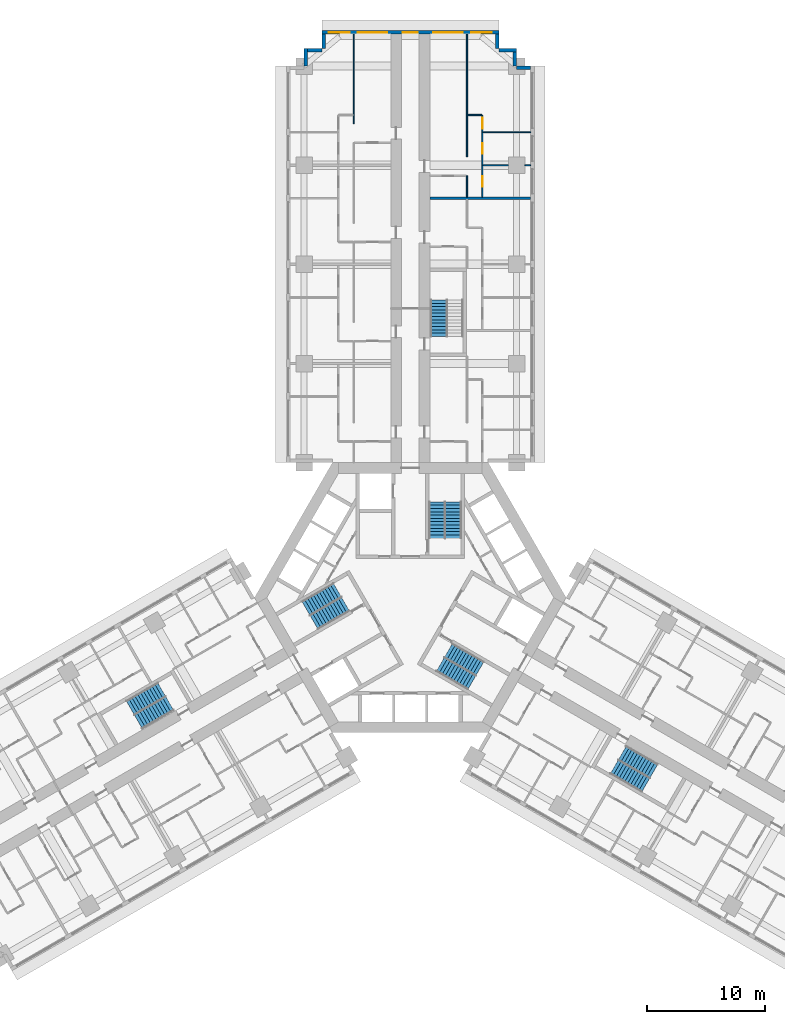
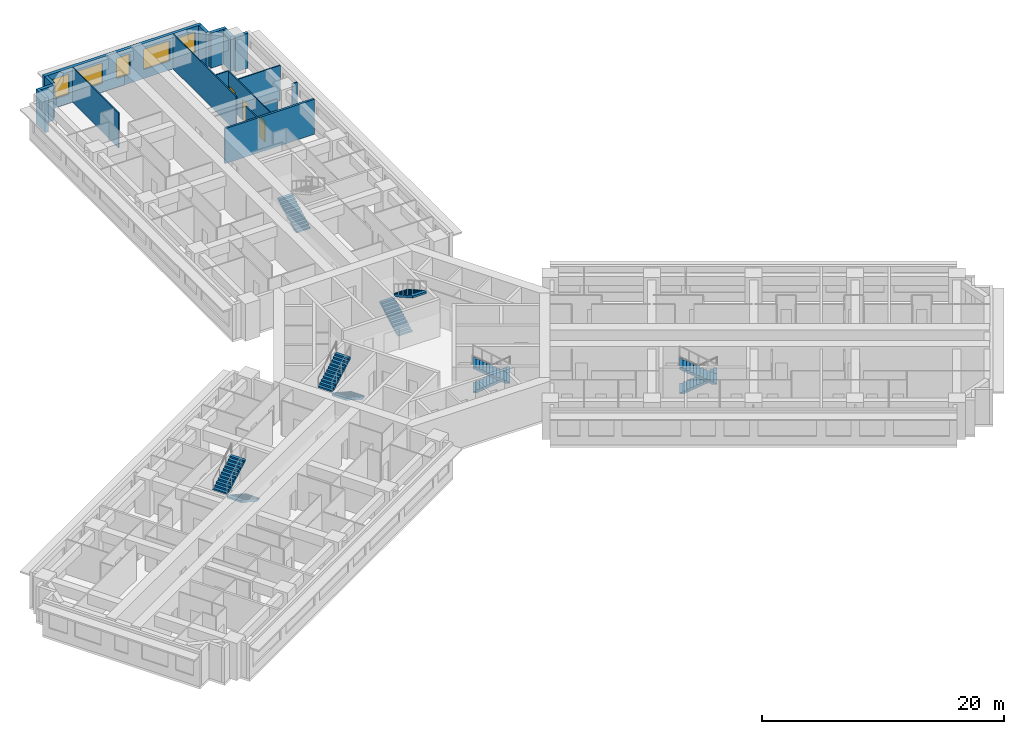
# One storey, part 14 of 16: 17 walls, 11 stair flights, 5 windows, 3 doors, 8 openings, 6 elements without a shape of their own.
"""IFC4 building model written with IfcOpenShell, lengths in metres."""

import ifcopenshell
import ifcopenshell.guid

model = None  # the IFC model being written
_history = None  # IfcOwnerHistory: only IFC2X3 demands one
_inside = {}  # id of a spatial element -> (the spatial element, [elements in it])
_under = {}  # id of a project, library or spatial element -> (it, [spatial elements below it])
_declared = {}  # id of a project -> (the project, [libraries it declares])
_typed = {}  # id of a type object -> (the type object, [elements of that type])
_made_of = {}  # id of a material, layer set ... -> (it, [elements and type objects made of it])


def new_model(schema):
    """Start an empty IFC model of exactly this schema.

    Asked for "IFC4X3", IfcOpenShell would pick the latest addendum, in which some entities
    have other attributes; the version numbers below select the first issue.
    IFC2X3 requires an IfcOwnerHistory on every rooted entity: one is made here for all.
    """
    global model, _history
    if schema == "IFC4X3":
        model = ifcopenshell.file(schema_version=(4, 3, 0, 0))
    else:
        model = ifcopenshell.file(schema=schema)
    _inside.clear()
    _under.clear()
    _declared.clear()
    _typed.clear()
    _made_of.clear()
    _history = None
    if model.schema == "IFC2X3":
        org = make("IfcOrganization", Name="unknown")
        user = make(
            "IfcPersonAndOrganization",
            ThePerson=make("IfcPerson", FamilyName="unknown"),
            TheOrganization=org,
        )
        app = make(
            "IfcApplication",
            ApplicationDeveloper=org,
            Version="unknown",
            ApplicationFullName="unknown",
            ApplicationIdentifier="unknown",
        )
        _history = make(
            "IfcOwnerHistory",
            OwningUser=user,
            OwningApplication=app,
            ChangeAction="ADDED",
            CreationDate=0,
        )
    return model


def make(cls, **values):
    """One entity of the class cls with the attributes given. An attribute that is None is left unset."""
    return model.create_entity(
        cls, **{name: value for name, value in values.items() if value is not None}
    )


def rooted(cls, **values):
    """An entity with a GlobalId (a new one), such as an element, a storey or a relation."""
    return make(cls, GlobalId=ifcopenshell.guid.new(), OwnerHistory=_history, **values)


def si_unit(unit_type, name, prefix=None):
    """IfcSIUnit, for example si_unit("LENGTHUNIT", "METRE", prefix="MILLI")."""
    return make("IfcSIUnit", UnitType=unit_type, Prefix=prefix, Name=name)


def assignment(units):
    """IfcUnitAssignment: the units of a project."""
    return None if units is None else make("IfcUnitAssignment", Units=units)


def point(xyz):
    """IfcCartesianPoint."""
    return None if xyz is None else make("IfcCartesianPoint", Coordinates=xyz)


def direction(xyz):
    """IfcDirection."""
    return None if xyz is None else make("IfcDirection", DirectionRatios=xyz)


def frame(location, z_axis=None, x_axis=None):
    """IfcAxis2Placement3D, a coordinate frame: its origin and axes. An axis left out is left unset."""
    return make(
        "IfcAxis2Placement3D",
        Location=point(location),
        Axis=direction(z_axis),
        RefDirection=direction(x_axis),
    )


def frame_2d(location, x_axis=None):
    """IfcAxis2Placement2D, a coordinate frame in the plane: its origin and x axis."""
    return make(
        "IfcAxis2Placement2D", Location=point(location), RefDirection=direction(x_axis)
    )


def origin():
    """The frame at (0, 0, 0) with its axes left unset."""
    return frame((0.0, 0.0, 0.0))


def place(relative_to, where):
    """IfcLocalPlacement: puts the frame where relative to a parent placement (None: the world)."""
    return make(
        "IfcLocalPlacement", PlacementRelTo=relative_to, RelativePlacement=where
    )


def context(
    kind, dimensions, precision=None, world=None, true_north=None, identifier=None
):
    """IfcGeometricRepresentationContext, for example the 3D "Model" context."""
    return make(
        "IfcGeometricRepresentationContext",
        ContextIdentifier=identifier,
        ContextType=kind,
        CoordinateSpaceDimension=dimensions,
        Precision=precision,
        WorldCoordinateSystem=world,
        TrueNorth=true_north,
    )


def subcontext(parent, identifier, kind, view, scale=None):
    """IfcGeometricRepresentationSubContext, for example "Body" below "Model"."""
    return make(
        "IfcGeometricRepresentationSubContext",
        ContextIdentifier=identifier,
        ContextType=kind,
        ParentContext=parent,
        TargetScale=scale,
        TargetView=view,
    )


def project(units=None, contexts=None):
    """IfcProject with its units and contexts."""
    return rooted(
        "IfcProject",
        Name="project",
        RepresentationContexts=contexts,
        UnitsInContext=assignment(units),
    )


def spatial(cls, under=None, at=None, **own):
    """A site, building, storey or space (cls), placed at a placement, below another one or the project."""
    s = rooted(cls, ObjectPlacement=at, **own)
    if under is not None:
        _under.setdefault(under.id(), (under, []))[1].append(s)
    return s


def polyline(points):
    """IfcPolyline through the points."""
    return make("IfcPolyline", Points=[point(p) for p in points])


def profile(cls, at=None, kind="AREA", **sizes):
    """A parametric profile (cls). Its sizes go by their IFC names, for example OverallWidth=200.0."""
    return make(cls, ProfileType=kind, Position=at, **sizes)


def rectangle(**sizes):
    """IfcRectangleProfileDef."""
    return profile("IfcRectangleProfileDef", **sizes)


def outline(outer, holes=None, kind="AREA"):
    """IfcArbitraryClosedProfileDef: a profile drawn as a closed curve; with holes, ...WithVoids."""
    if holes is None:
        return make("IfcArbitraryClosedProfileDef", ProfileType=kind, OuterCurve=outer)
    return make(
        "IfcArbitraryProfileDefWithVoids",
        ProfileType=kind,
        OuterCurve=outer,
        InnerCurves=holes,
    )


def extrude(swept, where, along, depth):
    """IfcExtrudedAreaSolid: the profile swept, set in the frame where, extruded along a direction by depth."""
    return make(
        "IfcExtrudedAreaSolid",
        SweptArea=swept,
        Position=where,
        ExtrudedDirection=direction(along),
        Depth=depth,
    )


def shape(context_of_items, identifier, shape_type, items):
    """IfcShapeRepresentation: the items that make up one representation, for example the "Body"."""
    return make(
        "IfcShapeRepresentation",
        ContextOfItems=context_of_items,
        RepresentationIdentifier=identifier,
        RepresentationType=shape_type,
        Items=items,
    )


def material(Name=None, Category=None):
    """IfcMaterial."""
    return make("IfcMaterial", Name=Name, Category=Category)


def layer(
    of_material, thickness, ventilated=None, Name=None, Category=None, Priority=None
):
    """IfcMaterialLayer: one layer of a wall or slab, of a material (None: an air gap)."""
    return make(
        "IfcMaterialLayer",
        Material=of_material,
        LayerThickness=thickness,
        IsVentilated=ventilated,
        Name=Name,
        Category=Category,
        Priority=Priority,
    )


def layer_set(layers, Name=None):
    """IfcMaterialLayerSet."""
    return make("IfcMaterialLayerSet", MaterialLayers=layers, LayerSetName=Name)


def made_of(thing, what):
    """Note that an element or type object is made of a material, layer set ...; save() writes the relation."""
    if what is not None:
        _made_of.setdefault(what.id(), (what, []))[1].append(thing)
    return thing


def type_object(cls, material=None, **own):
    """A type object (cls), such as IfcWallType, which elements share."""
    return made_of(rooted(cls, **own), material)


def element(
    cls,
    number,
    at=None,
    inside=None,
    cuts=None,
    type_object=None,
    material=None,
    context=None,
    identifier="Body",
    shape_type=None,
    held_by="IfcProductDefinitionShape",
    body=None,
    shapes=None,
    **own,
):
    """One element of the class cls, such as IfcWall. Its Tag is "e" and its number.

    at: its placement. inside: the storey or other place that contains it. cuts: it is an
    opening in that element (IfcRelVoidsElement). A single representation is given by context,
    identifier, shape_type and body (its items); several are given by shapes. held_by: the class
    of the entity that holds the representations. save() writes the other relations.
    """
    e = rooted(cls, Tag="e%d" % number, ObjectPlacement=at, **own)
    if body is not None:
        shapes = [shape(context, identifier, shape_type, body)]
    if shapes is not None:
        e.Representation = make(held_by, Representations=shapes)
    if inside is not None:
        _inside.setdefault(inside.id(), (inside, []))[1].append(e)
    if cuts is not None:
        rooted(
            "IfcRelVoidsElement", RelatingBuildingElement=cuts, RelatedOpeningElement=e
        )
    if type_object is not None:
        _typed.setdefault(type_object.id(), (type_object, []))[1].append(e)
    return made_of(e, material)


def fill(opening, filler):
    """IfcRelFillsElement: the door or window that sits in an opening."""
    return rooted(
        "IfcRelFillsElement",
        RelatingOpeningElement=opening,
        RelatedBuildingElement=filler,
    )


def aggregate(whole, parts):
    """IfcRelAggregates: a whole, such as a stair, and the parts it consists of."""
    return rooted("IfcRelAggregates", RelatingObject=whole, RelatedObjects=parts)


def save(model, path):
    """Write the relations noted so far, then the file.

    IfcRelAggregates (storeys below a building ...), IfcRelContainedInSpatialStructure (elements
    in a storey), IfcRelDefinesByType, IfcRelAssociatesMaterial and IfcRelDeclares: one each for
    every whole, place, type object, material and project.
    """
    for whole, parts in _under.values():
        aggregate(whole, parts)
    for where, things in _inside.values():
        rooted(
            "IfcRelContainedInSpatialStructure",
            RelatedElements=things,
            RelatingStructure=where,
        )
    for kind, things in _typed.values():
        rooted("IfcRelDefinesByType", RelatedObjects=things, RelatingType=kind)
    for what, things in _made_of.values():
        rooted("IfcRelAssociatesMaterial", RelatedObjects=things, RelatingMaterial=what)
    for by, libraries in _declared.values():
        rooted("IfcRelDeclares", RelatingContext=by, RelatedDefinitions=libraries)
    model.write(path)


model = new_model("IFC4")

# Units and contexts
model_context = context("Model", 3, precision=1e-05, world=origin(), true_north=direction((0.0, 1.0)))
body_context = subcontext(model_context, "Body", "Model", "MODEL_VIEW")
ifc_project = project(units=[si_unit("LENGTHUNIT", "METRE"), si_unit("AREAUNIT", "SQUARE_METRE"), si_unit("VOLUMEUNIT", "CUBIC_METRE"), si_unit("PLANEANGLEUNIT", "RADIAN"), si_unit("MASSUNIT", "GRAM", prefix="KILO")], contexts=[model_context])

# Site, building, storey
site_placement = place(None, origin())
site = spatial("IfcSite", under=ifc_project, at=site_placement, CompositionType="ELEMENT")
building_placement = place(site_placement, origin())
building = spatial("IfcBuilding", under=site, at=building_placement, Name="Impinga Residences", CompositionType="ELEMENT")
storey_placement = place(building_placement, frame((0.0, 0.0, 78.5)))
storey = spatial("IfcBuildingStorey", under=building, at=storey_placement, Name="L19", CompositionType="ELEMENT", Elevation=78.5)

# Walls
ifc_material_1 = material(Name="Terracotta rainscreen on blockwork", Category="masonry")
ifc_layer_1 = layer(ifc_material_1, 0.300048828125)
ifc_layer_set_1 = layer_set([ifc_layer_1], Name="EW1 external wall, terracotta rainscreen on blockwork 300")
wall_type_1 = type_object("IfcWallType", Name="EW1 external wall, terracotta rainscreen on blockwork 300", PredefinedType="SOLIDWALL", material=ifc_layer_set_1)
wall_1_placement = place(storey_placement, frame((-8.85009765625, 45.03662109375, 0.0), z_axis=(0.0, 0.0, 1.0), x_axis=(0.0, 1.0, 0.0)))
element("IfcWall", 1, at=wall_1_placement, inside=storey, type_object=wall_type_1, Name="External wall EW1 L19", PredefinedType="SOLIDWALL", context=body_context, shape_type="SweptSolid", body=[
    extrude(rectangle(XDim=1.494873046875, YDim=0.300048828125, at=frame_2d((0.74755859375, 0.0))), origin(), (0.0, 0.0, 1.0), 3.530029296875),
])
wall_2_placement = place(storey_placement, frame((-8.699951171875, 46.381591796875, 0.0), z_axis=(0.0, 0.0, 1.0), x_axis=(1.0, 0.0, 0.0)))
element("IfcWall", 2, at=wall_2_placement, inside=storey, type_object=wall_type_1, Name="External wall EW1 L19", PredefinedType="SOLIDWALL", context=body_context, shape_type="SweptSolid", body=[
    extrude(rectangle(XDim=1.199951171875, YDim=0.300048828125, at=frame_2d((0.60009765625, 0.0))), origin(), (0.0, 0.0, 1.0), 3.530029296875),
])
wall_3_placement = place(storey_placement, frame((-7.35009765625, 46.53662109375, 0.0), z_axis=(0.0, 0.0, 1.0), x_axis=(0.0, 1.0, 0.0)))
element("IfcWall", 3, at=wall_3_placement, inside=storey, type_object=wall_type_1, Name="External wall EW1 L19", PredefinedType="SOLIDWALL", context=body_context, shape_type="SweptSolid", body=[
    extrude(rectangle(XDim=1.19482421875, YDim=0.300048828125, at=frame_2d((0.597412109375, 0.0))), origin(), (0.0, 0.0, 1.0), 3.530029296875),
])

# Wall, openings, windows
wall_4_placement = place(storey_placement, frame((-7.5, 47.881591796875, 0.0), z_axis=(0.0, 0.0, 1.0), x_axis=(1.0, 0.0, 0.0)))
wall_4 = element("IfcWall", 4, at=wall_4_placement, inside=storey, type_object=wall_type_1, Name="External wall EW1 L19", PredefinedType="SOLIDWALL", context=body_context, shape_type="SweptSolid", body=[
    extrude(rectangle(XDim=15.0, YDim=0.300048828125, at=frame_2d((7.5, 0.0))), origin(), (0.0, 0.0, 1.0), 3.530029296875),
])
opening_1_placement = place(wall_4_placement, frame((0.60009765625, 0.0, 0.89990234375)))
opening_1 = element("IfcOpeningElement", 5, at=opening_1_placement, cuts=wall_4, Name="Opening W1", PredefinedType="OPENING", context=body_context, shape_type="SweptSolid", body=[
    extrude(rectangle(XDim=1.75, YDim=2.050048828125, at=frame_2d((0.875, 1.02490234375))), frame((0.0, 0.159912109375, 0.0), z_axis=(0.0, -1.0, 0.0), x_axis=(1.0, 0.0, 0.0)), (0.0, 0.0, 1.0), 0.320068359375),
])
opening_2_placement = place(wall_4_placement, frame((3.050048828125, 0.0, 0.89990234375)))
opening_2 = element("IfcOpeningElement", 6, at=opening_2_placement, cuts=wall_4, Name="Opening W2", PredefinedType="OPENING", context=body_context, shape_type="SweptSolid", body=[
    extrude(rectangle(XDim=2.5, YDim=2.050048828125, at=frame_2d((1.25, 1.02490234375))), frame((0.0, 0.159912109375, 0.0), z_axis=(0.0, -1.0, 0.0), x_axis=(1.0, 0.0, 0.0)), (0.0, 0.0, 1.0), 0.320068359375),
])
opening_3_placement = place(wall_4_placement, frame((6.85009765625, 0.0, 0.89990234375)))
opening_3 = element("IfcOpeningElement", 7, at=opening_3_placement, cuts=wall_4, Name="Opening WE1", PredefinedType="OPENING", context=body_context, shape_type="SweptSolid", body=[
    extrude(rectangle(XDim=1.300048828125, YDim=2.050048828125, at=frame_2d((0.64990234375, 1.02490234375))), frame((0.0, 0.159912109375, 0.0), z_axis=(0.0, -1.0, 0.0), x_axis=(1.0, 0.0, 0.0)), (0.0, 0.0, 1.0), 0.320068359375),
])
opening_4_placement = place(wall_4_placement, frame((9.449951171875, 0.0, 0.89990234375)))
opening_4 = element("IfcOpeningElement", 8, at=opening_4_placement, cuts=wall_4, Name="Opening W2", PredefinedType="OPENING", context=body_context, shape_type="SweptSolid", body=[
    extrude(rectangle(XDim=2.5, YDim=2.050048828125, at=frame_2d((1.25, 1.02490234375))), frame((0.0, 0.159912109375, 0.0), z_axis=(0.0, -1.0, 0.0), x_axis=(1.0, 0.0, 0.0)), (0.0, 0.0, 1.0), 0.320068359375),
])
opening_5_placement = place(wall_4_placement, frame((12.64990234375, 0.0, 0.89990234375)))
opening_5 = element("IfcOpeningElement", 9, at=opening_5_placement, cuts=wall_4, Name="Opening W1", PredefinedType="OPENING", context=body_context, shape_type="SweptSolid", body=[
    extrude(rectangle(XDim=1.75, YDim=2.050048828125, at=frame_2d((0.875, 1.02490234375))), frame((0.0, 0.159912109375, 0.0), z_axis=(0.0, -1.0, 0.0), x_axis=(1.0, 0.0, 0.0)), (0.0, 0.0, 1.0), 0.320068359375),
])
ifc_material_2 = material(Name="Aluminium window, clear double glazing", Category="aluminium")
window_type_1 = type_object("IfcWindowType", Name="W1 ribbon window 1750x2050", PartitioningType="SINGLE_PANEL", PredefinedType="WINDOW", material=ifc_material_2)
window_1_placement = place(opening_1_placement, origin())
window_1 = element("IfcWindow", 10, at=window_1_placement, inside=storey, type_object=window_type_1, Name="Window L19", OverallHeight=2.050048828125, OverallWidth=1.75, PartitioningType="SINGLE_PANEL", PredefinedType="WINDOW", context=body_context, shape_type="SweptSolid", body=[
    extrude(rectangle(XDim=1.75, YDim=2.050048828125, at=frame_2d((0.875, 1.02490234375))), frame((0.0, 0.030029296875, 0.0), z_axis=(0.0, -1.0, 0.0), x_axis=(1.0, 0.0, 0.0)), (0.0, 0.0, 1.0), 0.06005859375),
])
fill(opening_1, window_1)
window_2_placement = place(opening_5_placement, origin())
window_2 = element("IfcWindow", 11, at=window_2_placement, inside=storey, type_object=window_type_1, Name="Window L19", OverallHeight=2.050048828125, OverallWidth=1.75, PartitioningType="SINGLE_PANEL", PredefinedType="WINDOW", context=body_context, shape_type="SweptSolid", body=[
    extrude(rectangle(XDim=1.75, YDim=2.050048828125, at=frame_2d((0.875, 1.02490234375))), frame((0.0, 0.030029296875, 0.0), z_axis=(0.0, -1.0, 0.0), x_axis=(1.0, 0.0, 0.0)), (0.0, 0.0, 1.0), 0.06005859375),
])
fill(opening_5, window_2)
window_type_2 = type_object("IfcWindowType", Name="W2 ribbon window 2500x2050", PartitioningType="SINGLE_PANEL", PredefinedType="WINDOW", material=ifc_material_2)
window_3_placement = place(opening_2_placement, origin())
window_3 = element("IfcWindow", 12, at=window_3_placement, inside=storey, type_object=window_type_2, Name="Window L19", OverallHeight=2.050048828125, OverallWidth=2.5, PartitioningType="SINGLE_PANEL", PredefinedType="WINDOW", context=body_context, shape_type="SweptSolid", body=[
    extrude(rectangle(XDim=2.5, YDim=2.050048828125, at=frame_2d((1.25, 1.02490234375))), frame((0.0, 0.030029296875, 0.0), z_axis=(0.0, -1.0, 0.0), x_axis=(1.0, 0.0, 0.0)), (0.0, 0.0, 1.0), 0.06005859375),
])
fill(opening_2, window_3)
window_4_placement = place(opening_4_placement, origin())
window_4 = element("IfcWindow", 13, at=window_4_placement, inside=storey, type_object=window_type_2, Name="Window L19", OverallHeight=2.050048828125, OverallWidth=2.5, PartitioningType="SINGLE_PANEL", PredefinedType="WINDOW", context=body_context, shape_type="SweptSolid", body=[
    extrude(rectangle(XDim=2.5, YDim=2.050048828125, at=frame_2d((1.25, 1.02490234375))), frame((0.0, 0.030029296875, 0.0), z_axis=(0.0, -1.0, 0.0), x_axis=(1.0, 0.0, 0.0)), (0.0, 0.0, 1.0), 0.06005859375),
])
fill(opening_4, window_4)
window_type_3 = type_object("IfcWindowType", Name="WE1 corridor window 1300x2050", PartitioningType="SINGLE_PANEL", PredefinedType="WINDOW", material=ifc_material_2)
window_5_placement = place(opening_3_placement, origin())
window_5 = element("IfcWindow", 14, at=window_5_placement, inside=storey, type_object=window_type_3, Name="Window L19", OverallHeight=2.050048828125, OverallWidth=1.300048828125, PartitioningType="SINGLE_PANEL", PredefinedType="WINDOW", context=body_context, shape_type="SweptSolid", body=[
    extrude(rectangle(XDim=1.300048828125, YDim=2.050048828125, at=frame_2d((0.64990234375, 1.02490234375))), frame((0.0, 0.030029296875, 0.0), z_axis=(0.0, -1.0, 0.0), x_axis=(1.0, 0.0, 0.0)), (0.0, 0.0, 1.0), 0.06005859375),
])
fill(opening_3, window_5)

# Walls
wall_5_placement = place(storey_placement, frame((7.35009765625, 47.7314453125, 0.0), z_axis=(0.0, 0.0, 1.0), x_axis=(0.0, -1.0, 0.0)))
element("IfcWall", 15, at=wall_5_placement, inside=storey, type_object=wall_type_1, Name="External wall EW1 L19", PredefinedType="SOLIDWALL", context=body_context, shape_type="SweptSolid", body=[
    extrude(rectangle(XDim=1.19482421875, YDim=0.300048828125, at=frame_2d((0.597412109375, 0.0))), origin(), (0.0, 0.0, 1.0), 3.530029296875),
])
wall_6_placement = place(storey_placement, frame((7.5, 46.381591796875, 0.0), z_axis=(0.0, 0.0, 1.0), x_axis=(1.0, 0.0, 0.0)))
element("IfcWall", 16, at=wall_6_placement, inside=storey, type_object=wall_type_1, Name="External wall EW1 L19", PredefinedType="SOLIDWALL", context=body_context, shape_type="SweptSolid", body=[
    extrude(rectangle(XDim=1.5, YDim=0.300048828125, at=frame_2d((0.75, 0.0))), origin(), (0.0, 0.0, 1.0), 3.530029296875),
])
wall_7_placement = place(storey_placement, frame((8.85009765625, 46.2314453125, 0.0), z_axis=(0.0, 0.0, 1.0), x_axis=(0.0, -1.0, 0.0)))
element("IfcWall", 17, at=wall_7_placement, inside=storey, type_object=wall_type_1, Name="External wall EW1 L19", PredefinedType="SOLIDWALL", context=body_context, shape_type="SweptSolid", body=[
    extrude(rectangle(XDim=1.199951171875, YDim=0.300048828125, at=frame_2d((0.60009765625, 0.0))), origin(), (0.0, 0.0, 1.0), 3.530029296875),
])
wall_8_placement = place(storey_placement, frame((9.0048828125, 44.881591796875, 0.0), z_axis=(0.0, 0.0, 1.0), x_axis=(1.0, 0.0, 0.0)))
element("IfcWall", 18, at=wall_8_placement, inside=storey, type_object=wall_type_1, Name="External wall EW1 L19", PredefinedType="SOLIDWALL", context=body_context, shape_type="SweptSolid", body=[
    extrude(rectangle(XDim=1.195068359375, YDim=0.300048828125, at=frame_2d((0.59765625, 0.0))), origin(), (0.0, 0.0, 1.0), 3.530029296875),
])
ifc_material_3 = material(Name="Gypsum board on steel studs", Category="steel")
ifc_layer_2 = layer(ifc_material_3, 0.10009765625)
ifc_layer_set_2 = layer_set([ifc_layer_2], Name="Gypsum board on steel studs")
wall_type_2 = type_object("IfcWallType", Name="IP1 partition 100", PredefinedType="PARTITIONING", material=ifc_layer_set_2)
wall_9_placement = place(storey_placement, frame((-4.800048828125, 40.131591796875, 0.0), z_axis=(0.0, 0.0, 1.0), x_axis=(0.0, 1.0, 0.0)))
element("IfcWall", 19, at=wall_9_placement, inside=storey, type_object=wall_type_2, Name="Partition L19-NA4:DIV1", PredefinedType="PARTITIONING", context=body_context, shape_type="SweptSolid", body=[
    extrude(rectangle(XDim=7.599853515625, YDim=0.10009765625, at=frame_2d((3.7998046875, 0.0))), origin(), (0.0, 0.0, 1.0), 3.530029296875),
])
wall_10_placement = place(storey_placement, frame((4.800048828125, 33.931640625, 0.0), z_axis=(0.0, 0.0, 1.0), x_axis=(0.0, 1.0, 0.0)))
element("IfcWall", 20, at=wall_10_placement, inside=storey, type_object=wall_type_2, Name="Partition L19-NF3:DIV0", PredefinedType="PARTITIONING", context=body_context, shape_type="SweptSolid", body=[
    extrude(rectangle(XDim=1.7998046875, YDim=0.10009765625, at=frame_2d((0.89990234375, 0.0))), origin(), (0.0, 0.0, 1.0), 3.530029296875),
])
wall_11_placement = place(storey_placement, frame((4.800048828125, 37.33154296875, 0.0), z_axis=(0.0, 0.0, 1.0), x_axis=(0.0, 1.0, 0.0)))
element("IfcWall", 21, at=wall_11_placement, inside=storey, type_object=wall_type_2, Name="Partition L19-NF3:DIV1", PredefinedType="PARTITIONING", context=body_context, shape_type="SweptSolid", body=[
    extrude(rectangle(XDim=10.39990234375, YDim=0.10009765625, at=frame_2d((5.199951171875, 0.0))), origin(), (0.0, 0.0, 1.0), 3.530029296875),
])

# Wall, openings, doors
wall_12_placement = place(storey_placement, frame((6.10009765625, 33.931640625, 0.0), z_axis=(0.0, 0.0, 1.0), x_axis=(0.0, 1.0, 0.0)))
wall_12 = element("IfcWall", 22, at=wall_12_placement, inside=storey, type_object=wall_type_2, Name="Partition L19-NF3:STRIP", PredefinedType="PARTITIONING", context=body_context, shape_type="SweptSolid", body=[
    extrude(rectangle(XDim=6.949951171875, YDim=0.10009765625, at=frame_2d((3.47509765625, 0.0))), origin(), (0.0, 0.0, 1.0), 3.530029296875),
])
opening_6_placement = place(wall_12_placement, frame((0.875, 0.0, 0.0)))
opening_6 = element("IfcOpeningElement", 23, at=opening_6_placement, cuts=wall_12, Name="Opening D2", PredefinedType="OPENING", context=body_context, shape_type="SweptSolid", body=[
    extrude(rectangle(XDim=0.89990234375, YDim=2.10009765625, at=frame_2d((0.449951171875, 1.050048828125))), frame((0.0, 0.06005859375, 0.0), z_axis=(0.0, -1.0, 0.0), x_axis=(1.0, 0.0, 0.0)), (0.0, 0.0, 1.0), 0.1201171875),
])
opening_7_placement = place(wall_12_placement, frame((3.64990234375, 0.0, 0.0)))
opening_7 = element("IfcOpeningElement", 24, at=opening_7_placement, cuts=wall_12, Name="Opening D2", PredefinedType="OPENING", context=body_context, shape_type="SweptSolid", body=[
    extrude(rectangle(XDim=0.89990234375, YDim=2.10009765625, at=frame_2d((0.449951171875, 1.050048828125))), frame((0.0, 0.06005859375, 0.0), z_axis=(0.0, -1.0, 0.0), x_axis=(1.0, 0.0, 0.0)), (0.0, 0.0, 1.0), 0.1201171875),
])
opening_8_placement = place(wall_12_placement, frame((5.800048828125, 0.0, 0.0)))
opening_8 = element("IfcOpeningElement", 25, at=opening_8_placement, cuts=wall_12, Name="Opening D2", PredefinedType="OPENING", context=body_context, shape_type="SweptSolid", body=[
    extrude(rectangle(XDim=0.89990234375, YDim=2.10009765625, at=frame_2d((0.449951171875, 1.050048828125))), frame((0.0, 0.06005859375, 0.0), z_axis=(0.0, -1.0, 0.0), x_axis=(1.0, 0.0, 0.0)), (0.0, 0.0, 1.0), 0.1201171875),
])
ifc_material_4 = material(Name="Timber door set", Category="wood")
door_type = type_object("IfcDoorType", Name="D2 internal door 900x2100", OperationType="SINGLE_SWING_LEFT", PredefinedType="DOOR", material=ifc_material_4)
door_1_placement = place(opening_6_placement, origin())
door_1 = element("IfcDoor", 26, at=door_1_placement, inside=storey, type_object=door_type, Name="Apartment L19-NF3 room door", OperationType="SINGLE_SWING_LEFT", OverallHeight=2.10009765625, OverallWidth=0.89990234375, PredefinedType="DOOR", context=body_context, shape_type="SweptSolid", body=[
    extrude(rectangle(XDim=0.89990234375, YDim=2.10009765625, at=frame_2d((0.449951171875, 1.050048828125))), frame((0.0, 0.02490234375, 0.0), z_axis=(0.0, -1.0, 0.0), x_axis=(1.0, 0.0, 0.0)), (0.0, 0.0, 1.0), 0.050048828125),
])
fill(opening_6, door_1)
door_2_placement = place(opening_7_placement, origin())
door_2 = element("IfcDoor", 27, at=door_2_placement, inside=storey, type_object=door_type, Name="Apartment L19-NF3 room door", OperationType="SINGLE_SWING_RIGHT", OverallHeight=2.10009765625, OverallWidth=0.89990234375, PredefinedType="DOOR", context=body_context, shape_type="SweptSolid", body=[
    extrude(rectangle(XDim=0.89990234375, YDim=2.10009765625, at=frame_2d((0.449951171875, 1.050048828125))), frame((0.0, 0.02490234375, 0.0), z_axis=(0.0, -1.0, 0.0), x_axis=(1.0, 0.0, 0.0)), (0.0, 0.0, 1.0), 0.050048828125),
])
fill(opening_7, door_2)
door_3_placement = place(opening_8_placement, origin())
door_3 = element("IfcDoor", 28, at=door_3_placement, inside=storey, type_object=door_type, Name="Apartment L19-NF3 room door", OperationType="SINGLE_SWING_RIGHT", OverallHeight=2.10009765625, OverallWidth=0.89990234375, PredefinedType="DOOR", context=body_context, shape_type="SweptSolid", body=[
    extrude(rectangle(XDim=0.89990234375, YDim=2.10009765625, at=frame_2d((0.449951171875, 1.050048828125))), frame((0.0, 0.02490234375, 0.0), z_axis=(0.0, -1.0, 0.0), x_axis=(1.0, 0.0, 0.0)), (0.0, 0.0, 1.0), 0.050048828125),
])
fill(opening_8, door_3)

# Walls
wall_13_placement = place(storey_placement, frame((4.85009765625, 40.881591796875, 0.0), z_axis=(0.0, 0.0, 1.0), x_axis=(1.0, 0.0, 0.0)))
element("IfcWall", 29, at=wall_13_placement, inside=storey, type_object=wall_type_2, Name="Partition L19-NF3:SE1", PredefinedType="PARTITIONING", context=body_context, shape_type="SweptSolid", body=[
    extrude(rectangle(XDim=1.199951171875, YDim=0.10009765625, at=frame_2d((0.60009765625, 0.0))), origin(), (0.0, 0.0, 1.0), 3.530029296875),
])
wall_14_placement = place(storey_placement, frame((6.14990234375, 36.631591796875, 0.0), z_axis=(0.0, 0.0, 1.0), x_axis=(1.0, 0.0, 0.0)))
element("IfcWall", 30, at=wall_14_placement, inside=storey, type_object=wall_type_2, Name="Partition L19-NF3:OB1", PredefinedType="PARTITIONING", context=body_context, shape_type="SweptSolid", body=[
    extrude(rectangle(XDim=2.150146484375, YDim=0.10009765625, at=frame_2d((1.0751953125, 0.0))), origin(), (0.0, 0.0, 1.0), 2.47998046875),
])
wall_15_placement = place(storey_placement, frame((9.699951171875, 36.631591796875, 0.0), z_axis=(0.0, 0.0, 1.0), x_axis=(1.0, 0.0, 0.0)))
element("IfcWall", 31, at=wall_15_placement, inside=storey, type_object=wall_type_2, Name="Partition L19-NF3:OB1b", PredefinedType="PARTITIONING", context=body_context, shape_type="SweptSolid", body=[
    extrude(rectangle(XDim=0.5, YDim=0.10009765625, at=frame_2d((0.25, 0.0))), origin(), (0.0, 0.0, 1.0), 3.530029296875),
])
wall_16_placement = place(storey_placement, frame((6.14990234375, 39.431640625, 0.0), z_axis=(0.0, 0.0, 1.0), x_axis=(1.0, 0.0, 0.0)))
element("IfcWall", 32, at=wall_16_placement, inside=storey, type_object=wall_type_2, Name="Partition L19-NF3:OB2", PredefinedType="PARTITIONING", context=body_context, shape_type="SweptSolid", body=[
    extrude(rectangle(XDim=4.050048828125, YDim=0.10009765625, at=frame_2d((2.02490234375, 0.0))), origin(), (0.0, 0.0, 1.0), 3.530029296875),
])
ifc_material_5 = material(Name="Concrete blockwork", Category="masonry")
ifc_layer_3 = layer(ifc_material_5, 0.199951171875)
ifc_layer_set_3 = layer_set([ifc_layer_3], Name="PW1 party wall between apartments 200")
wall_type_3 = type_object("IfcWallType", Name="PW1 party wall between apartments 200", PredefinedType="SOLIDWALL", material=ifc_layer_set_3)
wall_17_placement = place(storey_placement, frame((1.64990234375, 33.83154296875, 0.0), z_axis=(0.0, 0.0, 1.0), x_axis=(1.0, 0.0, 0.0)))
element("IfcWall", 33, at=wall_17_placement, inside=storey, type_object=wall_type_3, Name="Party wall between apartments L19-NF2:PARTY", PredefinedType="SOLIDWALL", context=body_context, shape_type="SweptSolid", body=[
    extrude(rectangle(XDim=8.550048828125, YDim=0.199951171875, at=frame_2d((4.27490234375, 0.0))), origin(), (0.0, 0.0, 1.0), 3.530029296875),
])

# Stair, stair flights
ifc_material_6 = material(Name="Concrete C40/50", Category="concrete")
stair_type_1 = type_object("IfcStairType", Name="STR core stair 3750 storey, 24 risers", PredefinedType="HALF_TURN_STAIR", material=ifc_material_6)
stair_1_placement = place(storey_placement, origin())
stair_1 = element("IfcStair", 34, at=stair_1_placement, inside=storey, type_object=stair_type_1, Name="Stair ST1 L19", PredefinedType="HALF_TURN_STAIR")
stair_flight_type = type_object("IfcStairFlightType", Name="SF 12 risers of 156", PredefinedType="STRAIGHT", material=ifc_material_6)
stair_flight_1_placement = place(storey_placement, frame((2.27490234375, 5.030029296875, 0.0), z_axis=(0.0, 0.0, 1.0), x_axis=(0.0, 1.0, 0.0)))
stair_flight_1 = element("IfcStairFlight", 35, at=stair_flight_1_placement, type_object=stair_flight_type, Name="ST1 flight 1", NumberOfRisers=12, NumberOfTreads=11, PredefinedType="STRAIGHT", RiserHeight=0.15625, TreadLength=0.28, context=body_context, shape_type="SweptSolid", body=[
    extrude(outline(polyline([(0.0, 0.0), (0.0, 0.15625), (0.280029296875, 0.15625), (0.280029296875, 0.3125), (0.56005859375, 0.3125), (0.56005859375, 0.46875), (0.840087890625, 0.46875), (0.840087890625, 0.625), (1.1201171875, 0.625), (1.1201171875, 0.78125), (1.39990234375, 0.78125), (1.39990234375, 0.9375), (1.679931640625, 0.9375), (1.679931640625, 1.09375), (1.9599609375, 1.09375), (1.9599609375, 1.25), (2.239990234375, 1.25), (2.239990234375, 1.40625), (2.52001953125, 1.40625), (2.52001953125, 1.5625), (2.800048828125, 1.5625), (2.800048828125, 1.71875), (3.080078125, 1.71875), (3.080078125, 1.875), (3.080078125, 1.5126953125), (0.369140625, 0.0), (0.0, 0.0)])), frame((0.0, 0.675048828125, 0.0), z_axis=(0.0, -1.0, 0.0), x_axis=(1.0, 0.0, 0.0)), (0.0, 0.0, 1.0), 1.35009765625),
])
stair_flight_2_placement = place(storey_placement, frame((3.625, 8.110107421875, 1.875), z_axis=(0.0, 0.0, 1.0), x_axis=(0.0, -1.0, 0.0)))
stair_flight_2 = element("IfcStairFlight", 36, at=stair_flight_2_placement, type_object=stair_flight_type, Name="ST1 flight 2", NumberOfRisers=12, NumberOfTreads=11, PredefinedType="STRAIGHT", RiserHeight=0.15625, TreadLength=0.28, context=body_context, shape_type="SweptSolid", body=[
    extrude(outline(polyline([(0.0, 0.0), (0.0, 0.15625), (0.280029296875, 0.15625), (0.280029296875, 0.3125), (0.56005859375, 0.3125), (0.56005859375, 0.46875), (0.840087890625, 0.46875), (0.840087890625, 0.625), (1.1201171875, 0.625), (1.1201171875, 0.78125), (1.39990234375, 0.78125), (1.39990234375, 0.9375), (1.679931640625, 0.9375), (1.679931640625, 1.09375), (1.9599609375, 1.09375), (1.9599609375, 1.25), (2.239990234375, 1.25), (2.239990234375, 1.40625), (2.52001953125, 1.40625), (2.52001953125, 1.5625), (2.800048828125, 1.5625), (2.800048828125, 1.71875), (3.080078125, 1.71875), (3.080078125, 1.875), (3.080078125, 1.5126953125), (0.369140625, 0.0), (0.0, 0.0)])), frame((0.0, 0.675048828125, 0.0), z_axis=(0.0, -1.0, 0.0), x_axis=(1.0, 0.0, 0.0)), (0.0, 0.0, 1.0), 1.35009765625),
])
aggregate(stair_1, [stair_flight_1, stair_flight_2])

stair_2_placement = place(storey_placement, origin())
stair_2 = element("IfcStair", 37, at=stair_2_placement, inside=storey, type_object=stair_type_1, Name="Stair ST2 L19", PredefinedType="HALF_TURN_STAIR")
stair_flight_3_placement = place(storey_placement, frame((-5.49365234375, -0.544677734375, 0.0), z_axis=(0.0, 0.0, 1.0), x_axis=(-0.866025403784, -0.5, 0.0)))
stair_flight_3 = element("IfcStairFlight", 38, at=stair_flight_3_placement, type_object=stair_flight_type, Name="ST2 flight 1", NumberOfRisers=12, NumberOfTreads=11, PredefinedType="STRAIGHT", RiserHeight=0.15625, TreadLength=0.28, context=body_context, shape_type="SweptSolid", body=[
    extrude(outline(polyline([(0.0, 0.0), (0.0, 0.15625), (0.280029296875, 0.15625), (0.280029296875, 0.3125), (0.56005859375, 0.3125), (0.56005859375, 0.46875), (0.840087890625, 0.46875), (0.840087890625, 0.625), (1.1201171875, 0.625), (1.1201171875, 0.78125), (1.39990234375, 0.78125), (1.39990234375, 0.9375), (1.679931640625, 0.9375), (1.679931640625, 1.09375), (1.9599609375, 1.09375), (1.9599609375, 1.25), (2.239990234375, 1.25), (2.239990234375, 1.40625), (2.52001953125, 1.40625), (2.52001953125, 1.5625), (2.800048828125, 1.5625), (2.800048828125, 1.71875), (3.080078125, 1.71875), (3.080078125, 1.875), (3.080078125, 1.5126953125), (0.369140625, 0.0), (0.0, 0.0)])), frame((0.0, 0.675048828125, 0.0), z_axis=(0.0, -1.0, 0.0), x_axis=(1.0, 0.0, 0.0)), (0.0, 0.0, 1.0), 1.35009765625),
])
stair_flight_4_placement = place(storey_placement, frame((-8.8359375, -0.915771484375, 1.875), z_axis=(0.0, 0.0, 1.0), x_axis=(0.866025403784, 0.5, 0.0)))
stair_flight_4 = element("IfcStairFlight", 39, at=stair_flight_4_placement, type_object=stair_flight_type, Name="ST2 flight 2", NumberOfRisers=12, NumberOfTreads=11, PredefinedType="STRAIGHT", RiserHeight=0.15625, TreadLength=0.28, context=body_context, shape_type="SweptSolid", body=[
    extrude(outline(polyline([(0.0, 0.0), (0.0, 0.15625), (0.280029296875, 0.15625), (0.280029296875, 0.3125), (0.56005859375, 0.3125), (0.56005859375, 0.46875), (0.840087890625, 0.46875), (0.840087890625, 0.625), (1.1201171875, 0.625), (1.1201171875, 0.78125), (1.39990234375, 0.78125), (1.39990234375, 0.9375), (1.679931640625, 0.9375), (1.679931640625, 1.09375), (1.9599609375, 1.09375), (1.9599609375, 1.25), (2.239990234375, 1.25), (2.239990234375, 1.40625), (2.52001953125, 1.40625), (2.52001953125, 1.5625), (2.800048828125, 1.5625), (2.800048828125, 1.71875), (3.080078125, 1.71875), (3.080078125, 1.875), (3.080078125, 1.5126953125), (0.369140625, 0.0), (0.0, 0.0)])), frame((0.0, 0.675048828125, 0.0), z_axis=(0.0, -1.0, 0.0), x_axis=(1.0, 0.0, 0.0)), (0.0, 0.0, 1.0), 1.35009765625),
])
aggregate(stair_2, [stair_flight_3, stair_flight_4])

stair_3_placement = place(storey_placement, origin())
stair_3 = element("IfcStair", 40, at=stair_3_placement, inside=storey, type_object=stair_type_1, Name="Stair ST3 L19", PredefinedType="HALF_TURN_STAIR")
stair_flight_5_placement = place(storey_placement, frame((3.218505859375, -4.485107421875, 0.0), z_axis=(0.0, 0.0, 1.0), x_axis=(0.866025403784, -0.5, 0.0)))
stair_flight_5 = element("IfcStairFlight", 41, at=stair_flight_5_placement, type_object=stair_flight_type, Name="ST3 flight 1", NumberOfRisers=12, NumberOfTreads=11, PredefinedType="STRAIGHT", RiserHeight=0.15625, TreadLength=0.28, context=body_context, shape_type="SweptSolid", body=[
    extrude(outline(polyline([(0.0, 0.0), (0.0, 0.15625), (0.280029296875, 0.15625), (0.280029296875, 0.3125), (0.56005859375, 0.3125), (0.56005859375, 0.46875), (0.840087890625, 0.46875), (0.840087890625, 0.625), (1.1201171875, 0.625), (1.1201171875, 0.78125), (1.39990234375, 0.78125), (1.39990234375, 0.9375), (1.679931640625, 0.9375), (1.679931640625, 1.09375), (1.9599609375, 1.09375), (1.9599609375, 1.25), (2.239990234375, 1.25), (2.239990234375, 1.40625), (2.52001953125, 1.40625), (2.52001953125, 1.5625), (2.800048828125, 1.5625), (2.800048828125, 1.71875), (3.080078125, 1.71875), (3.080078125, 1.875), (3.080078125, 1.5126953125), (0.369140625, 0.0), (0.0, 0.0)])), frame((0.0, 0.675048828125, 0.0), z_axis=(0.0, -1.0, 0.0), x_axis=(1.0, 0.0, 0.0)), (0.0, 0.0, 1.0), 1.35009765625),
])
stair_flight_6_placement = place(storey_placement, frame((5.2109375, -7.1943359375, 1.875), z_axis=(0.0, 0.0, 1.0), x_axis=(-0.866025403784, 0.5, 0.0)))
stair_flight_6 = element("IfcStairFlight", 42, at=stair_flight_6_placement, type_object=stair_flight_type, Name="ST3 flight 2", NumberOfRisers=12, NumberOfTreads=11, PredefinedType="STRAIGHT", RiserHeight=0.15625, TreadLength=0.28, context=body_context, shape_type="SweptSolid", body=[
    extrude(outline(polyline([(0.0, 0.0), (0.0, 0.15625), (0.280029296875, 0.15625), (0.280029296875, 0.3125), (0.56005859375, 0.3125), (0.56005859375, 0.46875), (0.840087890625, 0.46875), (0.840087890625, 0.625), (1.1201171875, 0.625), (1.1201171875, 0.78125), (1.39990234375, 0.78125), (1.39990234375, 0.9375), (1.679931640625, 0.9375), (1.679931640625, 1.09375), (1.9599609375, 1.09375), (1.9599609375, 1.25), (2.239990234375, 1.25), (2.239990234375, 1.40625), (2.52001953125, 1.40625), (2.52001953125, 1.5625), (2.800048828125, 1.5625), (2.800048828125, 1.71875), (3.080078125, 1.71875), (3.080078125, 1.875), (3.080078125, 1.5126953125), (0.369140625, 0.0), (0.0, 0.0)])), frame((0.0, 0.675048828125, 0.0), z_axis=(0.0, -1.0, 0.0), x_axis=(1.0, 0.0, 0.0)), (0.0, 0.0, 1.0), 1.35009765625),
])
aggregate(stair_3, [stair_flight_5, stair_flight_6])

# Stair, stair flight
stair_type_2 = type_object("IfcStairType", Name="STR wing stair 3750 storey, 24 risers", PredefinedType="HALF_TURN_STAIR", material=ifc_material_6)
stair_4_placement = place(storey_placement, origin())
stair_4 = element("IfcStair", 43, at=stair_4_placement, inside=storey, type_object=stair_type_2, Name="Stair WS1 L19", PredefinedType="HALF_TURN_STAIR")
stair_flight_7_placement = place(storey_placement, frame((2.425048828125, 22.131591796875, 0.0), z_axis=(0.0, 0.0, 1.0), x_axis=(0.0, 1.0, 0.0)))
stair_flight_7 = element("IfcStairFlight", 44, at=stair_flight_7_placement, type_object=stair_flight_type, Name="WS1 flight 1", NumberOfRisers=12, NumberOfTreads=11, PredefinedType="STRAIGHT", RiserHeight=0.15625, TreadLength=0.28, context=body_context, shape_type="SweptSolid", body=[
    extrude(outline(polyline([(0.0, 0.0), (0.0, 0.15625), (0.280029296875, 0.15625), (0.280029296875, 0.3125), (0.56005859375, 0.3125), (0.56005859375, 0.46875), (0.840087890625, 0.46875), (0.840087890625, 0.625), (1.1201171875, 0.625), (1.1201171875, 0.78125), (1.39990234375, 0.78125), (1.39990234375, 0.9375), (1.679931640625, 0.9375), (1.679931640625, 1.09375), (1.9599609375, 1.09375), (1.9599609375, 1.25), (2.239990234375, 1.25), (2.239990234375, 1.40625), (2.52001953125, 1.40625), (2.52001953125, 1.5625), (2.800048828125, 1.5625), (2.800048828125, 1.71875), (3.080078125, 1.71875), (3.080078125, 1.875), (3.080078125, 1.5126953125), (0.369140625, 0.0), (0.0, 0.0)])), frame((0.0, 0.675048828125, 0.0), z_axis=(0.0, -1.0, 0.0), x_axis=(1.0, 0.0, 0.0)), (0.0, 0.0, 1.0), 1.35009765625),
])
aggregate(stair_4, [stair_flight_7])

# Stair, stair flights
stair_5_placement = place(storey_placement, origin())
stair_5 = element("IfcStair", 45, at=stair_5_placement, inside=storey, type_object=stair_type_2, Name="Stair WS2 L19", PredefinedType="HALF_TURN_STAIR")
stair_flight_8_placement = place(storey_placement, frame((-20.37890625, -8.965576171875, 0.0), z_axis=(0.0, 0.0, 1.0), x_axis=(-0.866025403784, -0.5, 0.0)))
stair_flight_8 = element("IfcStairFlight", 46, at=stair_flight_8_placement, type_object=stair_flight_type, Name="WS2 flight 1", NumberOfRisers=12, NumberOfTreads=11, PredefinedType="STRAIGHT", RiserHeight=0.15625, TreadLength=0.28, context=body_context, shape_type="SweptSolid", body=[
    extrude(outline(polyline([(0.0, 0.0), (0.0, 0.15625), (0.280029296875, 0.15625), (0.280029296875, 0.3125), (0.56005859375, 0.3125), (0.56005859375, 0.46875), (0.840087890625, 0.46875), (0.840087890625, 0.625), (1.1201171875, 0.625), (1.1201171875, 0.78125), (1.39990234375, 0.78125), (1.39990234375, 0.9375), (1.679931640625, 0.9375), (1.679931640625, 1.09375), (1.9599609375, 1.09375), (1.9599609375, 1.25), (2.239990234375, 1.25), (2.239990234375, 1.40625), (2.52001953125, 1.40625), (2.52001953125, 1.5625), (2.800048828125, 1.5625), (2.800048828125, 1.71875), (3.080078125, 1.71875), (3.080078125, 1.875), (3.080078125, 1.5126953125), (0.369140625, 0.0), (0.0, 0.0)])), frame((0.0, 0.675048828125, 0.0), z_axis=(0.0, -1.0, 0.0), x_axis=(1.0, 0.0, 0.0)), (0.0, 0.0, 1.0), 1.35009765625),
])
stair_flight_9_placement = place(storey_placement, frame((-23.721435546875, -9.33642578125, 1.875), z_axis=(0.0, 0.0, 1.0), x_axis=(0.866025403784, 0.5, 0.0)))
stair_flight_9 = element("IfcStairFlight", 47, at=stair_flight_9_placement, type_object=stair_flight_type, Name="WS2 flight 2", NumberOfRisers=12, NumberOfTreads=11, PredefinedType="STRAIGHT", RiserHeight=0.15625, TreadLength=0.28, context=body_context, shape_type="SweptSolid", body=[
    extrude(outline(polyline([(0.0, 0.0), (0.0, 0.15625), (0.280029296875, 0.15625), (0.280029296875, 0.3125), (0.56005859375, 0.3125), (0.56005859375, 0.46875), (0.840087890625, 0.46875), (0.840087890625, 0.625), (1.1201171875, 0.625), (1.1201171875, 0.78125), (1.39990234375, 0.78125), (1.39990234375, 0.9375), (1.679931640625, 0.9375), (1.679931640625, 1.09375), (1.9599609375, 1.09375), (1.9599609375, 1.25), (2.239990234375, 1.25), (2.239990234375, 1.40625), (2.52001953125, 1.40625), (2.52001953125, 1.5625), (2.800048828125, 1.5625), (2.800048828125, 1.71875), (3.080078125, 1.71875), (3.080078125, 1.875), (3.080078125, 1.5126953125), (0.369140625, 0.0), (0.0, 0.0)])), frame((0.0, 0.675048828125, 0.0), z_axis=(0.0, -1.0, 0.0), x_axis=(1.0, 0.0, 0.0)), (0.0, 0.0, 1.0), 1.35009765625),
])
aggregate(stair_5, [stair_flight_8, stair_flight_9])

stair_6_placement = place(storey_placement, origin())
stair_6 = element("IfcStair", 48, at=stair_6_placement, inside=storey, type_object=stair_type_2, Name="Stair WS3 L19", PredefinedType="HALF_TURN_STAIR")
stair_flight_10_placement = place(storey_placement, frame((17.953857421875, -13.165771484375, 0.0), z_axis=(0.0, 0.0, 1.0), x_axis=(0.866025403784, -0.5, 0.0)))
stair_flight_10 = element("IfcStairFlight", 49, at=stair_flight_10_placement, type_object=stair_flight_type, Name="WS3 flight 1", NumberOfRisers=12, NumberOfTreads=11, PredefinedType="STRAIGHT", RiserHeight=0.15625, TreadLength=0.28, context=body_context, shape_type="SweptSolid", body=[
    extrude(outline(polyline([(0.0, 0.0), (0.0, 0.15625), (0.280029296875, 0.15625), (0.280029296875, 0.3125), (0.56005859375, 0.3125), (0.56005859375, 0.46875), (0.840087890625, 0.46875), (0.840087890625, 0.625), (1.1201171875, 0.625), (1.1201171875, 0.78125), (1.39990234375, 0.78125), (1.39990234375, 0.9375), (1.679931640625, 0.9375), (1.679931640625, 1.09375), (1.9599609375, 1.09375), (1.9599609375, 1.25), (2.239990234375, 1.25), (2.239990234375, 1.40625), (2.52001953125, 1.40625), (2.52001953125, 1.5625), (2.800048828125, 1.5625), (2.800048828125, 1.71875), (3.080078125, 1.71875), (3.080078125, 1.875), (3.080078125, 1.5126953125), (0.369140625, 0.0), (0.0, 0.0)])), frame((0.0, 0.675048828125, 0.0), z_axis=(0.0, -1.0, 0.0), x_axis=(1.0, 0.0, 0.0)), (0.0, 0.0, 1.0), 1.35009765625),
])
stair_flight_11_placement = place(storey_placement, frame((19.9462890625, -15.875, 1.875), z_axis=(0.0, 0.0, 1.0), x_axis=(-0.866025403784, 0.5, 0.0)))
stair_flight_11 = element("IfcStairFlight", 50, at=stair_flight_11_placement, type_object=stair_flight_type, Name="WS3 flight 2", NumberOfRisers=12, NumberOfTreads=11, PredefinedType="STRAIGHT", RiserHeight=0.15625, TreadLength=0.28, context=body_context, shape_type="SweptSolid", body=[
    extrude(outline(polyline([(0.0, 0.0), (0.0, 0.15625), (0.280029296875, 0.15625), (0.280029296875, 0.3125), (0.56005859375, 0.3125), (0.56005859375, 0.46875), (0.840087890625, 0.46875), (0.840087890625, 0.625), (1.1201171875, 0.625), (1.1201171875, 0.78125), (1.39990234375, 0.78125), (1.39990234375, 0.9375), (1.679931640625, 0.9375), (1.679931640625, 1.09375), (1.9599609375, 1.09375), (1.9599609375, 1.25), (2.239990234375, 1.25), (2.239990234375, 1.40625), (2.52001953125, 1.40625), (2.52001953125, 1.5625), (2.800048828125, 1.5625), (2.800048828125, 1.71875), (3.080078125, 1.71875), (3.080078125, 1.875), (3.080078125, 1.5126953125), (0.369140625, 0.0), (0.0, 0.0)])), frame((0.0, 0.675048828125, 0.0), z_axis=(0.0, -1.0, 0.0), x_axis=(1.0, 0.0, 0.0)), (0.0, 0.0, 1.0), 1.35009765625),
])
aggregate(stair_6, [stair_flight_10, stair_flight_11])

save(model, "model.ifc")
